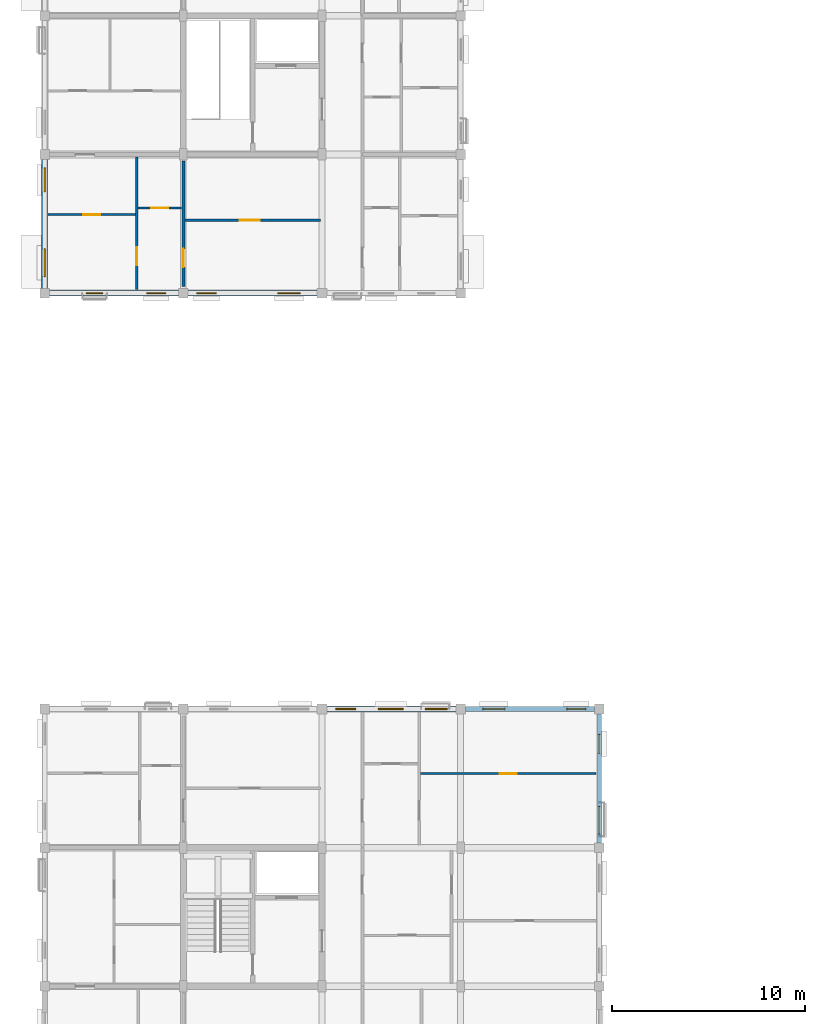
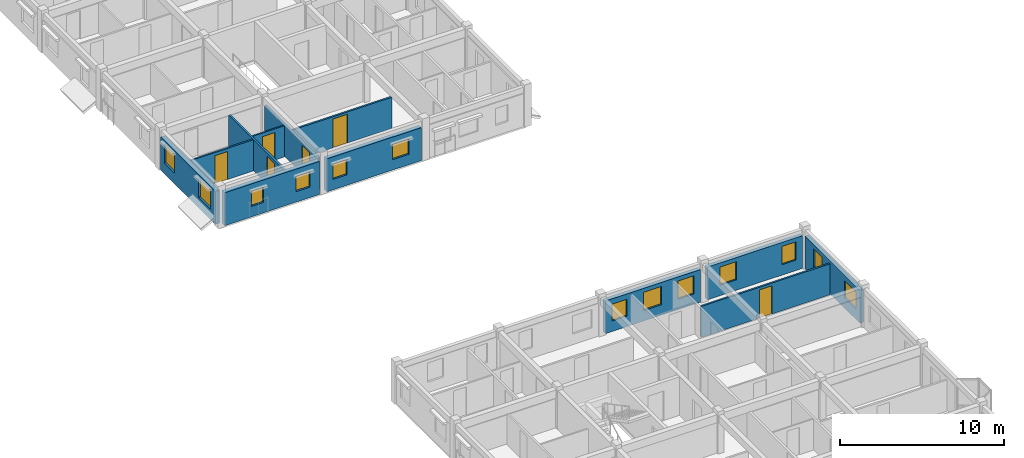
# One storey, part 43 of 64: 13 windows, 12 walls, 6 doors, 19 openings.
"""IFC4 building model written with IfcOpenShell, lengths in metres."""

from ifc_helpers import new_model, si_unit, direction, frame, frame_2d, origin, place, context, subcontext, project, spatial, rectangle, extrude, material, layer, layer_set, type_object, element, fill, save


model = new_model("IFC4")

# Units and contexts
model_context = context("Model", 3, precision=1e-05, world=origin(), true_north=direction((0.0, 1.0)))
body_context = subcontext(model_context, "Body", "Model", "MODEL_VIEW")
ifc_project = project(units=[si_unit("LENGTHUNIT", "METRE"), si_unit("AREAUNIT", "SQUARE_METRE"), si_unit("VOLUMEUNIT", "CUBIC_METRE"), si_unit("PLANEANGLEUNIT", "RADIAN"), si_unit("MASSUNIT", "GRAM", prefix="KILO"), si_unit("THERMODYNAMICTEMPERATUREUNIT", "KELVIN"), si_unit("POWERUNIT", "WATT")], contexts=[model_context])

# Site, building, storey
site_placement = place(None, origin())
site = spatial("IfcSite", under=ifc_project, at=site_placement, CompositionType="ELEMENT")
building_placement = place(site_placement, origin())
building = spatial("IfcBuilding", under=site, at=building_placement, Name="Tavuni Mirador Residences", CompositionType="ELEMENT")
storey_placement = place(building_placement, frame((0.0, 0.0, 26.550048828125)))
storey = spatial("IfcBuildingStorey", under=building, at=storey_placement, Name="L08", CompositionType="ELEMENT", Elevation=26.550048828125)

# Wall, opening, door
ifc_material_1 = material(Name="Precast concrete C40/50", Category="concrete")
ifc_layer_1 = layer(ifc_material_1, 0.1650390625, Name="Precast concrete C40/50", Category="concrete")
ifc_layer_set_1 = layer_set([ifc_layer_1], Name="Precast concrete C40/50")
wall_type_1 = type_object("IfcWallType", Name="WT-CORR165", PredefinedType="PARTITIONING", material=ifc_layer_set_1)
wall_1_placement = place(storey_placement, frame((10.800048828125, 65.14990234375, 0.0), z_axis=(0.0, 0.0, 1.0), x_axis=(0.0, 1.0, 0.0)))
wall_1 = element("IfcWall", 1, at=wall_1_placement, inside=storey, type_object=wall_type_1, Name="CORW-BLK-B-L08-1-00", PredefinedType="PARTITIONING", context=body_context, shape_type="SweptSolid", body=[
    extrude(rectangle(XDim=6.5, YDim=0.1650390625, at=frame_2d((3.25, 0.0))), origin(), (0.0, 0.0, 1.0), 2.324951171875),
])
opening_1_placement = place(wall_1_placement, frame((1.0, 0.0, 0.0)))
opening_1 = element("IfcOpeningElement", 2, at=opening_1_placement, cuts=wall_1, Name="Opening D-19", PredefinedType="OPENING", context=body_context, shape_type="SweptSolid", body=[
    extrude(rectangle(XDim=0.93994140625, YDim=2.1201171875, at=frame_2d((0.469970703125, 1.06005859375))), frame((0.0, 0.092529296875, 0.0), z_axis=(0.0, -1.0, 0.0), x_axis=(1.0, 0.0, 0.0)), (0.0, 0.0, 1.0), 0.18505859375),
])
ifc_material_2 = material(Name="Solid core iroko timber", Category="wood")
door_type_1 = type_object("IfcDoorType", Name="DT-FD60-940", OperationType="NOTDEFINED", PredefinedType="DOOR", material=ifc_material_2)
door_1_placement = place(opening_1_placement, origin())
door_1 = element("IfcDoor", 3, at=door_1_placement, inside=storey, type_object=door_type_1, Name="DR-2593", OperationType="SINGLE_SWING_RIGHT", OverallHeight=2.1201171875, OverallWidth=0.93994140625, PredefinedType="DOOR", context=body_context, shape_type="SweptSolid", body=[
    extrude(rectangle(XDim=0.93994140625, YDim=2.1201171875, at=frame_2d((0.469970703125, 1.06005859375))), frame((0.0, 0.02490234375, 0.0), z_axis=(0.0, -1.0, 0.0), x_axis=(1.0, 0.0, 0.0)), (0.0, 0.0, 1.0), 0.050048828125),
])
fill(opening_1, door_1)

# Wall, openings, windows
ifc_material_3 = material(Name="Sgraffito lime-rendered precast concrete C40/50", Category="concrete")
ifc_layer_2 = layer(ifc_material_3, 0.2548828125, Name="Sgraffito lime-rendered precast concrete C40/50", Category="concrete")
ifc_layer_set_2 = layer_set([ifc_layer_2], Name="Sgraffito lime-rendered precast concrete C40/50")
wall_type_2 = type_object("IfcWallType", Name="WT-EXT-PC255", PredefinedType="SOLIDWALL", material=ifc_layer_set_2)
wall_2_placement = place(storey_placement, frame((32.39990234375, 36.25, 0.0), z_axis=(0.0, 0.0, 1.0), x_axis=(0.0, 1.0, 0.0)))
wall_2 = element("IfcWall", 4, at=wall_2_placement, inside=storey, type_object=wall_type_2, Name="EW-BLK-A-L08-E04", PredefinedType="SOLIDWALL", context=body_context, shape_type="SweptSolid", body=[
    extrude(rectangle(XDim=6.699951171875, YDim=0.2548828125, at=frame_2d((3.35009765625, 0.0))), origin(), (0.0, 0.0, 1.0), 2.43994140625),
])
opening_2_placement = place(wall_2_placement, frame((0.449951171875, 0.0, 0.780029296875)))
opening_2 = element("IfcOpeningElement", 5, at=opening_2_placement, cuts=wall_2, Name="Opening WN-16", PredefinedType="OPENING", context=body_context, shape_type="SweptSolid", body=[
    extrude(rectangle(XDim=1.43994140625, YDim=1.260009765625, at=frame_2d((0.719970703125, 0.6298828125))), frame((0.0, 0.137451171875, 0.0), z_axis=(0.0, -1.0, 0.0), x_axis=(1.0, 0.0, 0.0)), (0.0, 0.0, 1.0), 0.27490234375),
])
opening_3_placement = place(wall_2_placement, frame((4.64990234375, 0.0, 0.780029296875)))
opening_3 = element("IfcOpeningElement", 6, at=opening_3_placement, cuts=wall_2, Name="Opening WN-18", PredefinedType="OPENING", context=body_context, shape_type="SweptSolid", body=[
    extrude(rectangle(XDim=0.97998046875, YDim=1.360107421875, at=frame_2d((0.489990234375, 0.68017578125))), frame((0.0, 0.137451171875, 0.0), z_axis=(0.0, -1.0, 0.0), x_axis=(1.0, 0.0, 0.0)), (0.0, 0.0, 1.0), 0.27490234375),
])
ifc_material_4 = material(Name="Laminated solar-control glass", Category="glass")
window_type_1 = type_object("IfcWindowType", Name="WNT-16", PartitioningType="SINGLE_PANEL", PredefinedType="WINDOW", material=ifc_material_4)
window_1_placement = place(opening_2_placement, origin())
window_1 = element("IfcWindow", 7, at=window_1_placement, inside=storey, type_object=window_type_1, Name="WIN-0307", OverallHeight=1.260009765625, OverallWidth=1.43994140625, PartitioningType="SINGLE_PANEL", PredefinedType="WINDOW", context=body_context, shape_type="SweptSolid", body=[
    extrude(rectangle(XDim=1.43994140625, YDim=1.260009765625, at=frame_2d((0.719970703125, 0.6298828125))), frame((0.0, 0.030029296875, 0.0), z_axis=(0.0, -1.0, 0.0), x_axis=(1.0, 0.0, 0.0)), (0.0, 0.0, 1.0), 0.06005859375),
])
fill(opening_2, window_1)
window_type_2 = type_object("IfcWindowType", Name="WNT-18", PartitioningType="SINGLE_PANEL", PredefinedType="WINDOW", material=ifc_material_4)
window_2_placement = place(opening_3_placement, origin())
window_2 = element("IfcWindow", 8, at=window_2_placement, inside=storey, type_object=window_type_2, Name="WIN-0308", OverallHeight=1.360107421875, OverallWidth=0.97998046875, PartitioningType="SINGLE_PANEL", PredefinedType="WINDOW", context=body_context, shape_type="SweptSolid", body=[
    extrude(rectangle(XDim=0.97998046875, YDim=1.360107421875, at=frame_2d((0.489990234375, 0.68017578125))), frame((0.0, 0.030029296875, 0.0), z_axis=(0.0, -1.0, 0.0), x_axis=(1.0, 0.0, 0.0)), (0.0, 0.0, 1.0), 0.06005859375),
])
fill(opening_3, window_2)

ifc_layer_3 = layer(ifc_material_3, 0.27490234375, Name="Sgraffito lime-rendered precast concrete C40/50", Category="concrete")
ifc_layer_set_3 = layer_set([ifc_layer_3], Name="Sgraffito lime-rendered precast concrete C40/50")
wall_type_3 = type_object("IfcWallType", Name="WT-EXT-PC275", PredefinedType="SOLIDWALL", material=ifc_layer_set_3)
wall_3_placement = place(storey_placement, frame((32.14990234375, 43.199951171875, 0.0), z_axis=(0.0, 0.0, 1.0), x_axis=(-1.0, 0.0, 0.0)))
wall_3 = element("IfcWall", 9, at=wall_3_placement, inside=storey, type_object=wall_type_3, Name="EW-BLK-A-L08-N03", PredefinedType="SOLIDWALL", context=body_context, shape_type="SweptSolid", body=[
    extrude(rectangle(XDim=6.699951171875, YDim=0.27490234375, at=frame_2d((3.35009765625, 0.0))), origin(), (0.0, 0.0, 1.0), 2.43994140625),
])
opening_4_placement = place(wall_3_placement, frame((0.449951171875, 0.0, 0.780029296875)))
opening_4 = element("IfcOpeningElement", 10, at=opening_4_placement, cuts=wall_3, Name="Opening WN-18", PredefinedType="OPENING", context=body_context, shape_type="SweptSolid", body=[
    extrude(rectangle(XDim=0.97998046875, YDim=1.360107421875, at=frame_2d((0.489990234375, 0.68017578125))), frame((0.0, 0.1474609375, 0.0), z_axis=(0.0, -1.0, 0.0), x_axis=(1.0, 0.0, 0.0)), (0.0, 0.0, 1.0), 0.294921875),
])
opening_5_placement = place(wall_3_placement, frame((4.64990234375, 0.0, 0.780029296875)))
opening_5 = element("IfcOpeningElement", 11, at=opening_5_placement, cuts=wall_3, Name="Opening WN-20", PredefinedType="OPENING", context=body_context, shape_type="SweptSolid", body=[
    extrude(rectangle(XDim=1.139892578125, YDim=1.360107421875, at=frame_2d((0.56982421875, 0.68017578125))), frame((0.0, 0.1474609375, 0.0), z_axis=(0.0, -1.0, 0.0), x_axis=(1.0, 0.0, 0.0)), (0.0, 0.0, 1.0), 0.294921875),
])
window_3_placement = place(opening_4_placement, origin())
window_3 = element("IfcWindow", 12, at=window_3_placement, inside=storey, type_object=window_type_2, Name="WIN-0309", OverallHeight=1.360107421875, OverallWidth=0.97998046875, PartitioningType="SINGLE_PANEL", PredefinedType="WINDOW", context=body_context, shape_type="SweptSolid", body=[
    extrude(rectangle(XDim=0.97998046875, YDim=1.360107421875, at=frame_2d((0.489990234375, 0.68017578125))), frame((0.0, 0.030029296875, 0.0), z_axis=(0.0, -1.0, 0.0), x_axis=(1.0, 0.0, 0.0)), (0.0, 0.0, 1.0), 0.06005859375),
])
fill(opening_4, window_3)
window_type_3 = type_object("IfcWindowType", Name="WNT-20", PartitioningType="SINGLE_PANEL", PredefinedType="WINDOW", material=ifc_material_4)
window_4_placement = place(opening_5_placement, origin())
window_4 = element("IfcWindow", 13, at=window_4_placement, inside=storey, type_object=window_type_3, Name="WIN-0310", OverallHeight=1.360107421875, OverallWidth=1.139892578125, PartitioningType="SINGLE_PANEL", PredefinedType="WINDOW", context=body_context, shape_type="SweptSolid", body=[
    extrude(rectangle(XDim=1.139892578125, YDim=1.360107421875, at=frame_2d((0.56982421875, 0.68017578125))), frame((0.0, 0.030029296875, 0.0), z_axis=(0.0, -1.0, 0.0), x_axis=(1.0, 0.0, 0.0)), (0.0, 0.0, 1.0), 0.06005859375),
])
fill(opening_5, window_4)

ifc_layer_4 = layer(ifc_material_3, 0.2900390625, Name="Sgraffito lime-rendered precast concrete C40/50", Category="concrete")
ifc_layer_set_4 = layer_set([ifc_layer_4], Name="Sgraffito lime-rendered precast concrete C40/50")
wall_type_4 = type_object("IfcWallType", Name="WT-EXT-PC290", PredefinedType="SOLIDWALL", material=ifc_layer_set_4)
wall_4_placement = place(storey_placement, frame((24.949951171875, 43.199951171875, 0.0), z_axis=(0.0, 0.0, 1.0), x_axis=(-1.0, 0.0, 0.0)))
wall_4 = element("IfcWall", 14, at=wall_4_placement, inside=storey, type_object=wall_type_4, Name="EW-BLK-A-L08-N02", PredefinedType="SOLIDWALL", context=body_context, shape_type="SweptSolid", body=[
    extrude(rectangle(XDim=6.699951171875, YDim=0.2900390625, at=frame_2d((3.35009765625, 0.0))), origin(), (0.0, 0.0, 1.0), 2.43994140625),
])
opening_6_placement = place(wall_4_placement, frame((0.449951171875, 0.0, 0.780029296875)))
opening_6 = element("IfcOpeningElement", 15, at=opening_6_placement, cuts=wall_4, Name="Opening WN-20", PredefinedType="OPENING", context=body_context, shape_type="SweptSolid", body=[
    extrude(rectangle(XDim=1.139892578125, YDim=1.360107421875, at=frame_2d((0.56982421875, 0.68017578125))), frame((0.0, 0.155029296875, 0.0), z_axis=(0.0, -1.0, 0.0), x_axis=(1.0, 0.0, 0.0)), (0.0, 0.0, 1.0), 0.31005859375),
])
opening_7_placement = place(wall_4_placement, frame((2.72509765625, 0.0, 0.780029296875)))
opening_7 = element("IfcOpeningElement", 16, at=opening_7_placement, cuts=wall_4, Name="Opening WN-22", PredefinedType="OPENING", context=body_context, shape_type="SweptSolid", body=[
    extrude(rectangle(XDim=1.300048828125, YDim=1.360107421875, at=frame_2d((0.64990234375, 0.68017578125))), frame((0.0, 0.155029296875, 0.0), z_axis=(0.0, -1.0, 0.0), x_axis=(1.0, 0.0, 0.0)), (0.0, 0.0, 1.0), 0.31005859375),
])
opening_8_placement = place(wall_4_placement, frame((5.18505859375, 0.0, 0.780029296875)))
opening_8 = element("IfcOpeningElement", 17, at=opening_8_placement, cuts=wall_4, Name="Opening WN-11", PredefinedType="OPENING", context=body_context, shape_type="SweptSolid", body=[
    extrude(rectangle(XDim=1.0400390625, YDim=1.260009765625, at=frame_2d((0.52001953125, 0.6298828125))), frame((0.0, 0.155029296875, 0.0), z_axis=(0.0, -1.0, 0.0), x_axis=(1.0, 0.0, 0.0)), (0.0, 0.0, 1.0), 0.31005859375),
])
window_type_4 = type_object("IfcWindowType", Name="WNT-11", PartitioningType="SINGLE_PANEL", PredefinedType="WINDOW", material=ifc_material_4)
window_5_placement = place(opening_8_placement, origin())
window_5 = element("IfcWindow", 18, at=window_5_placement, inside=storey, type_object=window_type_4, Name="WIN-0313", OverallHeight=1.260009765625, OverallWidth=1.0400390625, PartitioningType="SINGLE_PANEL", PredefinedType="WINDOW", context=body_context, shape_type="SweptSolid", body=[
    extrude(rectangle(XDim=1.0400390625, YDim=1.260009765625, at=frame_2d((0.52001953125, 0.6298828125))), frame((0.0, 0.030029296875, 0.0), z_axis=(0.0, -1.0, 0.0), x_axis=(1.0, 0.0, 0.0)), (0.0, 0.0, 1.0), 0.06005859375),
])
fill(opening_8, window_5)
window_6_placement = place(opening_6_placement, origin())
window_6 = element("IfcWindow", 19, at=window_6_placement, inside=storey, type_object=window_type_3, Name="WIN-0311", OverallHeight=1.360107421875, OverallWidth=1.139892578125, PartitioningType="SINGLE_PANEL", PredefinedType="WINDOW", context=body_context, shape_type="SweptSolid", body=[
    extrude(rectangle(XDim=1.139892578125, YDim=1.360107421875, at=frame_2d((0.56982421875, 0.68017578125))), frame((0.0, 0.030029296875, 0.0), z_axis=(0.0, -1.0, 0.0), x_axis=(1.0, 0.0, 0.0)), (0.0, 0.0, 1.0), 0.06005859375),
])
fill(opening_6, window_6)
window_type_5 = type_object("IfcWindowType", Name="WNT-22", PartitioningType="SINGLE_PANEL", PredefinedType="WINDOW", material=ifc_material_4)
window_7_placement = place(opening_7_placement, origin())
window_7 = element("IfcWindow", 20, at=window_7_placement, inside=storey, type_object=window_type_5, Name="WIN-0312", OverallHeight=1.360107421875, OverallWidth=1.300048828125, PartitioningType="SINGLE_PANEL", PredefinedType="WINDOW", context=body_context, shape_type="SweptSolid", body=[
    extrude(rectangle(XDim=1.300048828125, YDim=1.360107421875, at=frame_2d((0.64990234375, 0.68017578125))), frame((0.0, 0.030029296875, 0.0), z_axis=(0.0, -1.0, 0.0), x_axis=(1.0, 0.0, 0.0)), (0.0, 0.0, 1.0), 0.06005859375),
])
fill(opening_7, window_7)

ifc_layer_5 = layer(ifc_material_3, 0.304931640625, Name="Sgraffito lime-rendered precast concrete C40/50", Category="concrete")
ifc_layer_set_5 = layer_set([ifc_layer_5], Name="Sgraffito lime-rendered precast concrete C40/50")
wall_type_5 = type_object("IfcWallType", Name="WT-EXT-PC305", PredefinedType="SOLIDWALL", material=ifc_layer_set_5)
wall_5_placement = place(storey_placement, frame((11.050048828125, 64.800048828125, 0.0), z_axis=(0.0, 0.0, 1.0), x_axis=(1.0, 0.0, 0.0)))
wall_5 = element("IfcWall", 21, at=wall_5_placement, inside=storey, type_object=wall_type_5, Name="EW-BLK-B-L08-S01", PredefinedType="SOLIDWALL", context=body_context, shape_type="SweptSolid", body=[
    extrude(rectangle(XDim=6.699951171875, YDim=0.304931640625, at=frame_2d((3.35009765625, 0.0))), origin(), (0.0, 0.0, 1.0), 2.4599609375),
])
opening_9_placement = place(wall_5_placement, frame((0.449951171875, 0.0, 0.780029296875)))
opening_9 = element("IfcOpeningElement", 22, at=opening_9_placement, cuts=wall_5, Name="Opening WN-03", PredefinedType="OPENING", context=body_context, shape_type="SweptSolid", body=[
    extrude(rectangle(XDim=1.0, YDim=1.14990234375, at=frame_2d((0.5, 0.574951171875))), frame((0.0, 0.16259765625, 0.0), z_axis=(0.0, -1.0, 0.0), x_axis=(1.0, 0.0, 0.0)), (0.0, 0.0, 1.0), 0.324951171875),
])
opening_10_placement = place(wall_5_placement, frame((4.64990234375, 0.0, 0.780029296875)))
opening_10 = element("IfcOpeningElement", 23, at=opening_10_placement, cuts=wall_5, Name="Opening WN-05", PredefinedType="OPENING", context=body_context, shape_type="SweptSolid", body=[
    extrude(rectangle(XDim=1.159912109375, YDim=1.14990234375, at=frame_2d((0.580078125, 0.574951171875))), frame((0.0, 0.16259765625, 0.0), z_axis=(0.0, -1.0, 0.0), x_axis=(1.0, 0.0, 0.0)), (0.0, 0.0, 1.0), 0.324951171875),
])
window_type_6 = type_object("IfcWindowType", Name="WNT-03", PartitioningType="SINGLE_PANEL", PredefinedType="WINDOW", material=ifc_material_4)
window_8_placement = place(opening_9_placement, origin())
window_8 = element("IfcWindow", 24, at=window_8_placement, inside=storey, type_object=window_type_6, Name="WIN-0774", OverallHeight=1.14990234375, OverallWidth=1.0, PartitioningType="SINGLE_PANEL", PredefinedType="WINDOW", context=body_context, shape_type="SweptSolid", body=[
    extrude(rectangle(XDim=1.0, YDim=1.14990234375, at=frame_2d((0.5, 0.574951171875))), frame((0.0, 0.030029296875, 0.0), z_axis=(0.0, -1.0, 0.0), x_axis=(1.0, 0.0, 0.0)), (0.0, 0.0, 1.0), 0.06005859375),
])
fill(opening_9, window_8)
window_type_7 = type_object("IfcWindowType", Name="WNT-05", PartitioningType="SINGLE_PANEL", PredefinedType="WINDOW", material=ifc_material_4)
window_9_placement = place(opening_10_placement, origin())
window_9 = element("IfcWindow", 25, at=window_9_placement, inside=storey, type_object=window_type_7, Name="WIN-0775", OverallHeight=1.14990234375, OverallWidth=1.159912109375, PartitioningType="SINGLE_PANEL", PredefinedType="WINDOW", context=body_context, shape_type="SweptSolid", body=[
    extrude(rectangle(XDim=1.159912109375, YDim=1.14990234375, at=frame_2d((0.580078125, 0.574951171875))), frame((0.0, 0.030029296875, 0.0), z_axis=(0.0, -1.0, 0.0), x_axis=(1.0, 0.0, 0.0)), (0.0, 0.0, 1.0), 0.06005859375),
])
fill(opening_10, window_9)

ifc_layer_6 = layer(ifc_material_3, 0.31494140625, Name="Sgraffito lime-rendered precast concrete C40/50", Category="concrete")
ifc_layer_set_6 = layer_set([ifc_layer_6], Name="Sgraffito lime-rendered precast concrete C40/50")
wall_type_6 = type_object("IfcWallType", Name="WT-EXT-PC315", PredefinedType="SOLIDWALL", material=ifc_layer_set_6)
wall_6_placement = place(storey_placement, frame((3.85009765625, 64.800048828125, 0.0), z_axis=(0.0, 0.0, 1.0), x_axis=(1.0, 0.0, 0.0)))
wall_6 = element("IfcWall", 26, at=wall_6_placement, inside=storey, type_object=wall_type_6, Name="EW-BLK-B-L08-S00", PredefinedType="SOLIDWALL", context=body_context, shape_type="SweptSolid", body=[
    extrude(rectangle(XDim=6.699951171875, YDim=0.31494140625, at=frame_2d((3.35009765625, 0.0))), origin(), (0.0, 0.0, 1.0), 2.4599609375),
])
opening_11_placement = place(wall_6_placement, frame((1.909912109375, 0.0, 0.780029296875)))
opening_11 = element("IfcOpeningElement", 27, at=opening_11_placement, cuts=wall_6, Name="Opening WN-01", PredefinedType="OPENING", context=body_context, shape_type="SweptSolid", body=[
    extrude(rectangle(XDim=0.85009765625, YDim=1.14990234375, at=frame_2d((0.425048828125, 0.574951171875))), frame((0.0, 0.16748046875, 0.0), z_axis=(0.0, -1.0, 0.0), x_axis=(1.0, 0.0, 0.0)), (0.0, 0.0, 1.0), 0.3349609375),
])
opening_12_placement = place(wall_6_placement, frame((5.044921875, 0.0, 0.780029296875)))
opening_12 = element("IfcOpeningElement", 28, at=opening_12_placement, cuts=wall_6, Name="Opening WN-03", PredefinedType="OPENING", context=body_context, shape_type="SweptSolid", body=[
    extrude(rectangle(XDim=1.0, YDim=1.14990234375, at=frame_2d((0.5, 0.574951171875))), frame((0.0, 0.16748046875, 0.0), z_axis=(0.0, -1.0, 0.0), x_axis=(1.0, 0.0, 0.0)), (0.0, 0.0, 1.0), 0.3349609375),
])
window_type_8 = type_object("IfcWindowType", Name="WNT-01", PartitioningType="SINGLE_PANEL", PredefinedType="WINDOW", material=ifc_material_4)
window_10_placement = place(opening_11_placement, origin())
window_10 = element("IfcWindow", 29, at=window_10_placement, inside=storey, type_object=window_type_8, Name="WIN-0772", OverallHeight=1.14990234375, OverallWidth=0.85009765625, PartitioningType="SINGLE_PANEL", PredefinedType="WINDOW", context=body_context, shape_type="SweptSolid", body=[
    extrude(rectangle(XDim=0.85009765625, YDim=1.14990234375, at=frame_2d((0.425048828125, 0.574951171875))), frame((0.0, 0.030029296875, 0.0), z_axis=(0.0, -1.0, 0.0), x_axis=(1.0, 0.0, 0.0)), (0.0, 0.0, 1.0), 0.06005859375),
])
fill(opening_11, window_10)
window_11_placement = place(opening_12_placement, origin())
window_11 = element("IfcWindow", 30, at=window_11_placement, inside=storey, type_object=window_type_6, Name="WIN-0773", OverallHeight=1.14990234375, OverallWidth=1.0, PartitioningType="SINGLE_PANEL", PredefinedType="WINDOW", context=body_context, shape_type="SweptSolid", body=[
    extrude(rectangle(XDim=1.0, YDim=1.14990234375, at=frame_2d((0.5, 0.574951171875))), frame((0.0, 0.030029296875, 0.0), z_axis=(0.0, -1.0, 0.0), x_axis=(1.0, 0.0, 0.0)), (0.0, 0.0, 1.0), 0.06005859375),
])
fill(opening_12, window_11)

wall_7_placement = place(storey_placement, frame((3.60009765625, 71.75, 0.0), z_axis=(0.0, 0.0, 1.0), x_axis=(0.0, -1.0, 0.0)))
wall_7 = element("IfcWall", 31, at=wall_7_placement, inside=storey, type_object=wall_type_6, Name="EW-BLK-B-L08-W00", PredefinedType="SOLIDWALL", context=body_context, shape_type="SweptSolid", body=[
    extrude(rectangle(XDim=6.699951171875, YDim=0.31494140625, at=frame_2d((3.35009765625, 0.0))), origin(), (0.0, 0.0, 1.0), 2.4599609375),
])
opening_13_placement = place(wall_7_placement, frame((0.449951171875, 0.0, 0.780029296875)))
opening_13 = element("IfcOpeningElement", 32, at=opening_13_placement, cuts=wall_7, Name="Opening WN-28", PredefinedType="OPENING", context=body_context, shape_type="SweptSolid", body=[
    extrude(rectangle(XDim=1.25, YDim=1.43994140625, at=frame_2d((0.625, 0.719970703125))), frame((0.0, 0.16748046875, 0.0), z_axis=(0.0, -1.0, 0.0), x_axis=(1.0, 0.0, 0.0)), (0.0, 0.0, 1.0), 0.3349609375),
])
opening_14_placement = place(wall_7_placement, frame((4.64990234375, 0.0, 0.780029296875)))
opening_14 = element("IfcOpeningElement", 33, at=opening_14_placement, cuts=wall_7, Name="Opening WN-30", PredefinedType="OPENING", context=body_context, shape_type="SweptSolid", body=[
    extrude(rectangle(XDim=1.449951171875, YDim=1.43994140625, at=frame_2d((0.72509765625, 0.719970703125))), frame((0.0, 0.16748046875, 0.0), z_axis=(0.0, -1.0, 0.0), x_axis=(1.0, 0.0, 0.0)), (0.0, 0.0, 1.0), 0.3349609375),
])
window_type_9 = type_object("IfcWindowType", Name="WNT-28", PartitioningType="SINGLE_PANEL", PredefinedType="WINDOW", material=ifc_material_4)
window_12_placement = place(opening_13_placement, origin())
window_12 = element("IfcWindow", 34, at=window_12_placement, inside=storey, type_object=window_type_9, Name="WIN-0799", OverallHeight=1.43994140625, OverallWidth=1.25, PartitioningType="SINGLE_PANEL", PredefinedType="WINDOW", context=body_context, shape_type="SweptSolid", body=[
    extrude(rectangle(XDim=1.25, YDim=1.43994140625, at=frame_2d((0.625, 0.719970703125))), frame((0.0, 0.030029296875, 0.0), z_axis=(0.0, -1.0, 0.0), x_axis=(1.0, 0.0, 0.0)), (0.0, 0.0, 1.0), 0.06005859375),
])
fill(opening_13, window_12)
window_type_10 = type_object("IfcWindowType", Name="WNT-30", PartitioningType="SINGLE_PANEL", PredefinedType="WINDOW", material=ifc_material_4)
window_13_placement = place(opening_14_placement, origin())
window_13 = element("IfcWindow", 35, at=window_13_placement, inside=storey, type_object=window_type_10, Name="WIN-0800", OverallHeight=1.43994140625, OverallWidth=1.449951171875, PartitioningType="SINGLE_PANEL", PredefinedType="WINDOW", context=body_context, shape_type="SweptSolid", body=[
    extrude(rectangle(XDim=1.449951171875, YDim=1.43994140625, at=frame_2d((0.72509765625, 0.719970703125))), frame((0.0, 0.030029296875, 0.0), z_axis=(0.0, -1.0, 0.0), x_axis=(1.0, 0.0, 0.0)), (0.0, 0.0, 1.0), 0.06005859375),
])
fill(opening_14, window_13)

# Wall, opening, door
ifc_material_5 = material(Name="Acoustic gypsum and concrete block partition", Category="concrete")
ifc_layer_7 = layer(ifc_material_5, 0.10498046875, Name="Acoustic gypsum and concrete block partition", Category="concrete")
ifc_layer_set_7 = layer_set([ifc_layer_7], Name="Acoustic gypsum and concrete block partition")
wall_type_7 = type_object("IfcWallType", Name="WT-PART105", PredefinedType="PARTITIONING", material=ifc_layer_set_7)
wall_8_placement = place(storey_placement, frame((8.449951171875, 69.219970703125, 0.0), z_axis=(0.0, 0.0, 1.0), x_axis=(1.0, 0.0, 0.0)))
wall_8 = element("IfcWall", 36, at=wall_8_placement, inside=storey, type_object=wall_type_7, Name="PW-BLK-B-L08-W00-IN1", PredefinedType="PARTITIONING", context=body_context, shape_type="SweptSolid", body=[
    extrude(rectangle(XDim=2.260009765625, YDim=0.10498046875, at=frame_2d((1.1298828125, 0.0))), origin(), (0.0, 0.0, 1.0), 2.324951171875),
])
opening_15_placement = place(wall_8_placement, frame((0.695068359375, 0.0, 0.0)))
opening_15 = element("IfcOpeningElement", 37, at=opening_15_placement, cuts=wall_8, Name="Opening D-10", PredefinedType="OPENING", context=body_context, shape_type="SweptSolid", body=[
    extrude(rectangle(XDim=0.8701171875, YDim=2.050048828125, at=frame_2d((0.43505859375, 1.02490234375))), frame((0.0, 0.0625, 0.0), z_axis=(0.0, -1.0, 0.0), x_axis=(1.0, 0.0, 0.0)), (0.0, 0.0, 1.0), 0.125),
])
door_type_2 = type_object("IfcDoorType", Name="DT-WC870", OperationType="NOTDEFINED", PredefinedType="DOOR", material=ifc_material_2)
door_2_placement = place(opening_15_placement, origin())
door_2 = element("IfcDoor", 38, at=door_2_placement, inside=storey, type_object=door_type_2, Name="DR-3624", OperationType="SINGLE_SWING_LEFT", OverallHeight=2.050048828125, OverallWidth=0.8701171875, PredefinedType="DOOR", context=body_context, shape_type="SweptSolid", body=[
    extrude(rectangle(XDim=0.8701171875, YDim=2.050048828125, at=frame_2d((0.43505859375, 1.02490234375))), frame((0.0, 0.02490234375, 0.0), z_axis=(0.0, -1.0, 0.0), x_axis=(1.0, 0.0, 0.0)), (0.0, 0.0, 1.0), 0.050048828125),
])
fill(opening_15, door_2)

ifc_layer_8 = layer(ifc_material_5, 0.114990234375, Name="Acoustic gypsum and concrete block partition", Category="concrete")
ifc_layer_set_8 = layer_set([ifc_layer_8], Name="Acoustic gypsum and concrete block partition")
wall_type_8 = type_object("IfcWallType", Name="WT-PART115", PredefinedType="PARTITIONING", material=ifc_layer_set_8)
wall_9_placement = place(storey_placement, frame((3.77490234375, 68.8798828125, 0.0), z_axis=(0.0, 0.0, 1.0), x_axis=(1.0, 0.0, 0.0)))
wall_9 = element("IfcWall", 39, at=wall_9_placement, inside=storey, type_object=wall_type_8, Name="PW-BLK-B-L08-W00-OUT", PredefinedType="PARTITIONING", context=body_context, shape_type="SweptSolid", body=[
    extrude(rectangle(XDim=4.53515625, YDim=0.114990234375, at=frame_2d((2.267578125, 0.0))), origin(), (0.0, 0.0, 1.0), 2.324951171875),
])
opening_16_placement = place(wall_9_placement, frame((1.827392578125, 0.0, 0.0)))
opening_16 = element("IfcOpeningElement", 40, at=opening_16_placement, cuts=wall_9, Name="Opening D-08", PredefinedType="OPENING", context=body_context, shape_type="SweptSolid", body=[
    extrude(rectangle(XDim=0.8798828125, YDim=2.080078125, at=frame_2d((0.43994140625, 1.0400390625))), frame((0.0, 0.0673828125, 0.0), z_axis=(0.0, -1.0, 0.0), x_axis=(1.0, 0.0, 0.0)), (0.0, 0.0, 1.0), 0.135009765625),
])
door_type_3 = type_object("IfcDoorType", Name="DT-BED880", OperationType="NOTDEFINED", PredefinedType="DOOR", material=ifc_material_2)
door_3_placement = place(opening_16_placement, origin())
door_3 = element("IfcDoor", 41, at=door_3_placement, inside=storey, type_object=door_type_3, Name="DR-3623", OperationType="SINGLE_SWING_RIGHT", OverallHeight=2.080078125, OverallWidth=0.8798828125, PredefinedType="DOOR", context=body_context, shape_type="SweptSolid", body=[
    extrude(rectangle(XDim=0.8798828125, YDim=2.080078125, at=frame_2d((0.43994140625, 1.0400390625))), frame((0.0, 0.02490234375, 0.0), z_axis=(0.0, -1.0, 0.0), x_axis=(1.0, 0.0, 0.0)), (0.0, 0.0, 1.0), 0.050048828125),
])
fill(opening_16, door_3)

ifc_layer_9 = layer(ifc_material_5, 0.125, Name="Acoustic gypsum and concrete block partition", Category="concrete")
ifc_layer_set_9 = layer_set([ifc_layer_9], Name="Acoustic gypsum and concrete block partition")
wall_type_9 = type_object("IfcWallType", Name="WT-PART125", PredefinedType="PARTITIONING", material=ifc_layer_set_9)
wall_10_placement = place(storey_placement, frame((23.1201171875, 39.85009765625, 0.0), z_axis=(0.0, 0.0, 1.0), x_axis=(1.0, 0.0, 0.0)))
wall_10 = element("IfcWall", 42, at=wall_10_placement, inside=storey, type_object=wall_type_9, Name="PW-BLK-A-L08-E04-OUT", PredefinedType="PARTITIONING", context=body_context, shape_type="SweptSolid", body=[
    extrude(rectangle(XDim=9.10498046875, YDim=0.125, at=frame_2d((4.552490234375, 0.0))), origin(), (0.0, 0.0, 1.0), 2.304931640625),
])
opening_17_placement = place(wall_10_placement, frame((4.1025390625, 0.0, 0.0)))
opening_17 = element("IfcOpeningElement", 43, at=opening_17_placement, cuts=wall_10, Name="Opening D-07", PredefinedType="OPENING", context=body_context, shape_type="SweptSolid", body=[
    extrude(rectangle(XDim=0.89990234375, YDim=2.10009765625, at=frame_2d((0.449951171875, 1.050048828125))), frame((0.0, 0.072509765625, 0.0), z_axis=(0.0, -1.0, 0.0), x_axis=(1.0, 0.0, 0.0)), (0.0, 0.0, 1.0), 0.14501953125),
])
door_type_4 = type_object("IfcDoorType", Name="DT-BED900", OperationType="NOTDEFINED", PredefinedType="DOOR", material=ifc_material_2)
door_4_placement = place(opening_17_placement, origin())
door_4 = element("IfcDoor", 44, at=door_4_placement, inside=storey, type_object=door_type_4, Name="DR-3225", OperationType="SINGLE_SWING_LEFT", OverallHeight=2.10009765625, OverallWidth=0.89990234375, PredefinedType="DOOR", context=body_context, shape_type="SweptSolid", body=[
    extrude(rectangle(XDim=0.89990234375, YDim=2.10009765625, at=frame_2d((0.449951171875, 1.050048828125))), frame((0.0, 0.02490234375, 0.0), z_axis=(0.0, -1.0, 0.0), x_axis=(1.0, 0.0, 0.0)), (0.0, 0.0, 1.0), 0.050048828125),
])
fill(opening_17, door_4)

wall_11_placement = place(storey_placement, frame((10.889892578125, 68.580078125, 0.0), z_axis=(0.0, 0.0, 1.0), x_axis=(1.0, 0.0, 0.0)))
wall_11 = element("IfcWall", 45, at=wall_11_placement, inside=storey, type_object=wall_type_9, Name="PW-SPN-BLK-B-L08-00", PredefinedType="PARTITIONING", context=body_context, shape_type="SweptSolid", body=[
    extrude(rectangle(XDim=7.02001953125, YDim=0.125, at=frame_2d((3.510009765625, 0.0))), origin(), (0.0, 0.0, 1.0), 2.324951171875),
])
opening_18_placement = place(wall_11_placement, frame((2.85009765625, 0.0, 0.0)))
opening_18 = element("IfcOpeningElement", 46, at=opening_18_placement, cuts=wall_11, Name="Opening D-13", PredefinedType="OPENING", context=body_context, shape_type="SweptSolid", body=[
    extrude(rectangle(XDim=1.02001953125, YDim=2.14990234375, at=frame_2d((0.510009765625, 1.074951171875))), frame((0.0, 0.072509765625, 0.0), z_axis=(0.0, -1.0, 0.0), x_axis=(1.0, 0.0, 0.0)), (0.0, 0.0, 1.0), 0.14501953125),
])
door_type_5 = type_object("IfcDoorType", Name="DT-MTG1020", OperationType="NOTDEFINED", PredefinedType="DOOR", material=ifc_material_2)
door_5_placement = place(opening_18_placement, origin())
door_5 = element("IfcDoor", 47, at=door_5_placement, inside=storey, type_object=door_type_5, Name="DR-3622", OperationType="SINGLE_SWING_LEFT", OverallHeight=2.14990234375, OverallWidth=1.02001953125, PredefinedType="DOOR", context=body_context, shape_type="SweptSolid", body=[
    extrude(rectangle(XDim=1.02001953125, YDim=2.14990234375, at=frame_2d((0.510009765625, 1.074951171875))), frame((0.0, 0.02490234375, 0.0), z_axis=(0.0, -1.0, 0.0), x_axis=(1.0, 0.0, 0.0)), (0.0, 0.0, 1.0), 0.050048828125),
])
fill(opening_18, door_5)

ifc_layer_10 = layer(ifc_material_5, 0.139892578125, Name="Acoustic gypsum and concrete block partition", Category="concrete")
ifc_layer_set_10 = layer_set([ifc_layer_10], Name="Acoustic gypsum and concrete block partition")
wall_type_10 = type_object("IfcWallType", Name="WT-PART140", PredefinedType="PARTITIONING", material=ifc_layer_set_10)
wall_12_placement = place(storey_placement, frame((8.3798828125, 64.97509765625, 0.0), z_axis=(0.0, 0.0, 1.0), x_axis=(0.0, 1.0, 0.0)))
wall_12 = element("IfcWall", 48, at=wall_12_placement, inside=storey, type_object=wall_type_10, Name="PW-BLK-B-L08-W00-MID", PredefinedType="PARTITIONING", context=body_context, shape_type="SweptSolid", body=[
    extrude(rectangle(XDim=6.885009765625, YDim=0.139892578125, at=frame_2d((3.4423828125, 0.0))), origin(), (0.0, 0.0, 1.0), 2.324951171875),
])
opening_19_placement = place(wall_12_placement, frame((1.27490234375, 0.0, 0.0)))
opening_19 = element("IfcOpeningElement", 49, at=opening_19_placement, cuts=wall_12, Name="Opening D-06", PredefinedType="OPENING", context=body_context, shape_type="SweptSolid", body=[
    extrude(rectangle(XDim=0.919921875, YDim=2.10009765625, at=frame_2d((0.4599609375, 1.050048828125))), frame((0.0, 0.080078125, 0.0), z_axis=(0.0, -1.0, 0.0), x_axis=(1.0, 0.0, 0.0)), (0.0, 0.0, 1.0), 0.159912109375),
])
door_type_6 = type_object("IfcDoorType", Name="DT-INT920", OperationType="NOTDEFINED", PredefinedType="DOOR", material=ifc_material_2)
door_6_placement = place(opening_19_placement, origin())
door_6 = element("IfcDoor", 50, at=door_6_placement, inside=storey, type_object=door_type_6, Name="DR-3625", OperationType="SINGLE_SWING_RIGHT", OverallHeight=2.10009765625, OverallWidth=0.919921875, PredefinedType="DOOR", context=body_context, shape_type="SweptSolid", body=[
    extrude(rectangle(XDim=0.919921875, YDim=2.10009765625, at=frame_2d((0.4599609375, 1.050048828125))), frame((0.0, 0.02490234375, 0.0), z_axis=(0.0, -1.0, 0.0), x_axis=(1.0, 0.0, 0.0)), (0.0, 0.0, 1.0), 0.050048828125),
])
fill(opening_19, door_6)

save(model, "model.ifc")
